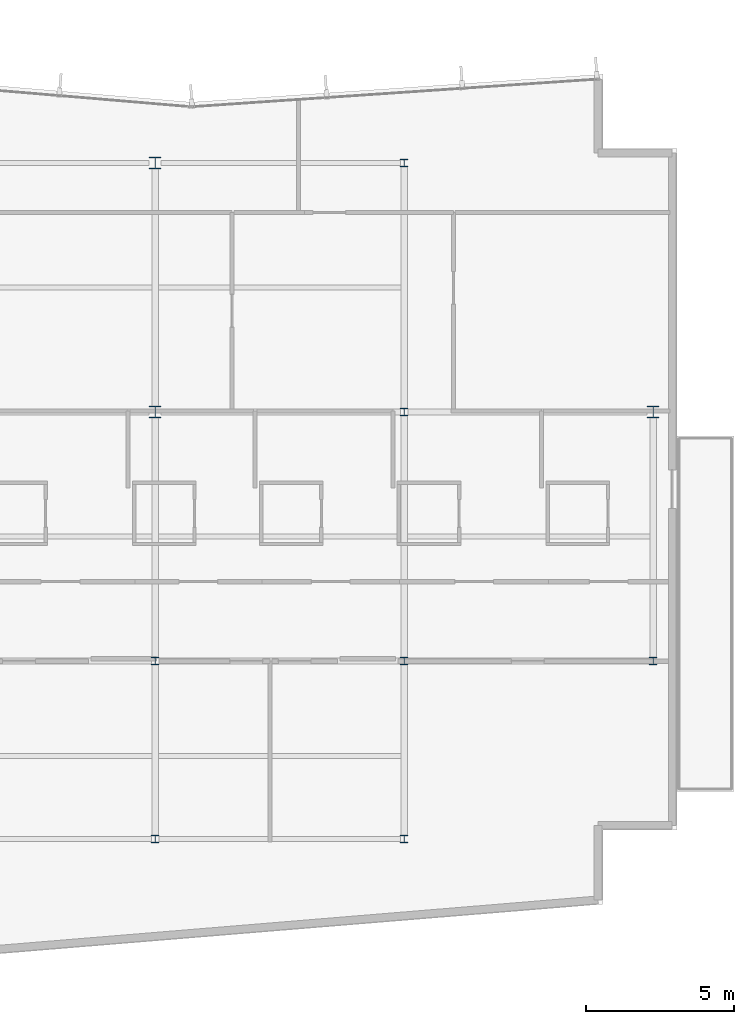
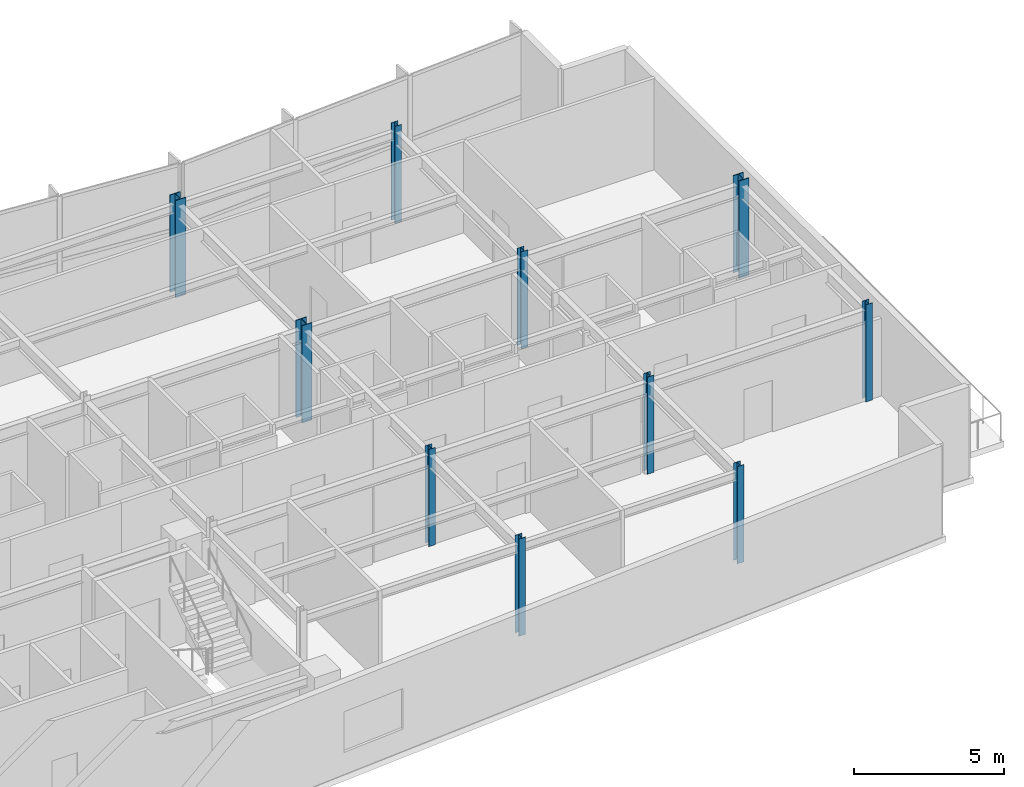
# One storey, part 2 of 15: 10 columns.
"""IFC4 building model written with IfcOpenShell, lengths in metres."""

import ifcopenshell
import ifcopenshell.guid

model = None  # the IFC model being written
_history = None  # IfcOwnerHistory: only IFC2X3 demands one
_inside = {}  # id of a spatial element -> (the spatial element, [elements in it])
_under = {}  # id of a project, library or spatial element -> (it, [spatial elements below it])
_declared = {}  # id of a project -> (the project, [libraries it declares])
_typed = {}  # id of a type object -> (the type object, [elements of that type])
_made_of = {}  # id of a material, layer set ... -> (it, [elements and type objects made of it])


def new_model(schema):
    """Start an empty IFC model of exactly this schema.

    Asked for "IFC4X3", IfcOpenShell would pick the latest addendum, in which some entities
    have other attributes; the version numbers below select the first issue.
    IFC2X3 requires an IfcOwnerHistory on every rooted entity: one is made here for all.
    """
    global model, _history
    if schema == "IFC4X3":
        model = ifcopenshell.file(schema_version=(4, 3, 0, 0))
    else:
        model = ifcopenshell.file(schema=schema)
    _inside.clear()
    _under.clear()
    _declared.clear()
    _typed.clear()
    _made_of.clear()
    _history = None
    if model.schema == "IFC2X3":
        org = make("IfcOrganization", Name="unknown")
        user = make(
            "IfcPersonAndOrganization",
            ThePerson=make("IfcPerson", FamilyName="unknown"),
            TheOrganization=org,
        )
        app = make(
            "IfcApplication",
            ApplicationDeveloper=org,
            Version="unknown",
            ApplicationFullName="unknown",
            ApplicationIdentifier="unknown",
        )
        _history = make(
            "IfcOwnerHistory",
            OwningUser=user,
            OwningApplication=app,
            ChangeAction="ADDED",
            CreationDate=0,
        )
    return model


def make(cls, **values):
    """One entity of the class cls with the attributes given. An attribute that is None is left unset."""
    return model.create_entity(
        cls, **{name: value for name, value in values.items() if value is not None}
    )


def rooted(cls, **values):
    """An entity with a GlobalId (a new one), such as an element, a storey or a relation."""
    return make(cls, GlobalId=ifcopenshell.guid.new(), OwnerHistory=_history, **values)


def si_unit(unit_type, name, prefix=None):
    """IfcSIUnit, for example si_unit("LENGTHUNIT", "METRE", prefix="MILLI")."""
    return make("IfcSIUnit", UnitType=unit_type, Prefix=prefix, Name=name)


def assignment(units):
    """IfcUnitAssignment: the units of a project."""
    return None if units is None else make("IfcUnitAssignment", Units=units)


def point(xyz):
    """IfcCartesianPoint."""
    return None if xyz is None else make("IfcCartesianPoint", Coordinates=xyz)


def direction(xyz):
    """IfcDirection."""
    return None if xyz is None else make("IfcDirection", DirectionRatios=xyz)


def frame(location, z_axis=None, x_axis=None):
    """IfcAxis2Placement3D, a coordinate frame: its origin and axes. An axis left out is left unset."""
    return make(
        "IfcAxis2Placement3D",
        Location=point(location),
        Axis=direction(z_axis),
        RefDirection=direction(x_axis),
    )


def frame_2d(location, x_axis=None):
    """IfcAxis2Placement2D, a coordinate frame in the plane: its origin and x axis."""
    return make(
        "IfcAxis2Placement2D", Location=point(location), RefDirection=direction(x_axis)
    )


def origin():
    """The frame at (0, 0, 0) with its axes left unset."""
    return frame((0.0, 0.0, 0.0))


def origin_2d():
    """The frame at (0, 0) in the plane with its x axis left unset."""
    return frame_2d((0.0, 0.0))


def place(relative_to, where):
    """IfcLocalPlacement: puts the frame where relative to a parent placement (None: the world)."""
    return make(
        "IfcLocalPlacement", PlacementRelTo=relative_to, RelativePlacement=where
    )


def context(
    kind, dimensions, precision=None, world=None, true_north=None, identifier=None
):
    """IfcGeometricRepresentationContext, for example the 3D "Model" context."""
    return make(
        "IfcGeometricRepresentationContext",
        ContextIdentifier=identifier,
        ContextType=kind,
        CoordinateSpaceDimension=dimensions,
        Precision=precision,
        WorldCoordinateSystem=world,
        TrueNorth=true_north,
    )


def subcontext(parent, identifier, kind, view, scale=None):
    """IfcGeometricRepresentationSubContext, for example "Body" below "Model"."""
    return make(
        "IfcGeometricRepresentationSubContext",
        ContextIdentifier=identifier,
        ContextType=kind,
        ParentContext=parent,
        TargetScale=scale,
        TargetView=view,
    )


def project(units=None, contexts=None):
    """IfcProject with its units and contexts."""
    return rooted(
        "IfcProject",
        Name="project",
        RepresentationContexts=contexts,
        UnitsInContext=assignment(units),
    )


def spatial(cls, under=None, at=None, **own):
    """A site, building, storey or space (cls), placed at a placement, below another one or the project."""
    s = rooted(cls, ObjectPlacement=at, **own)
    if under is not None:
        _under.setdefault(under.id(), (under, []))[1].append(s)
    return s


def profile(cls, at=None, kind="AREA", **sizes):
    """A parametric profile (cls). Its sizes go by their IFC names, for example OverallWidth=200.0."""
    return make(cls, ProfileType=kind, Position=at, **sizes)


def i_section(**sizes):
    """IfcIShapeProfileDef."""
    return profile("IfcIShapeProfileDef", **sizes)


def extrude(swept, where, along, depth):
    """IfcExtrudedAreaSolid: the profile swept, set in the frame where, extruded along a direction by depth."""
    return make(
        "IfcExtrudedAreaSolid",
        SweptArea=swept,
        Position=where,
        ExtrudedDirection=direction(along),
        Depth=depth,
    )


def shape(context_of_items, identifier, shape_type, items):
    """IfcShapeRepresentation: the items that make up one representation, for example the "Body"."""
    return make(
        "IfcShapeRepresentation",
        ContextOfItems=context_of_items,
        RepresentationIdentifier=identifier,
        RepresentationType=shape_type,
        Items=items,
    )


def material(Name=None, Category=None):
    """IfcMaterial."""
    return make("IfcMaterial", Name=Name, Category=Category)


def material_profile(
    of_material, cross_section, Name=None, Category=None, Priority=None
):
    """IfcMaterialProfile: a cross section and its material."""
    return make(
        "IfcMaterialProfile",
        Name=Name,
        Material=of_material,
        Profile=cross_section,
        Priority=Priority,
        Category=Category,
    )


def profile_set(profiles, Name=None, composite=None):
    """IfcMaterialProfileSet."""
    return make(
        "IfcMaterialProfileSet",
        Name=Name,
        MaterialProfiles=profiles,
        CompositeProfile=composite,
    )


def made_of(thing, what):
    """Note that an element or type object is made of a material, layer set ...; save() writes the relation."""
    if what is not None:
        _made_of.setdefault(what.id(), (what, []))[1].append(thing)
    return thing


def type_object(cls, material=None, **own):
    """A type object (cls), such as IfcWallType, which elements share."""
    return made_of(rooted(cls, **own), material)


def element(
    cls,
    number,
    at=None,
    inside=None,
    cuts=None,
    type_object=None,
    material=None,
    context=None,
    identifier="Body",
    shape_type=None,
    held_by="IfcProductDefinitionShape",
    body=None,
    shapes=None,
    **own,
):
    """One element of the class cls, such as IfcWall. Its Tag is "e" and its number.

    at: its placement. inside: the storey or other place that contains it. cuts: it is an
    opening in that element (IfcRelVoidsElement). A single representation is given by context,
    identifier, shape_type and body (its items); several are given by shapes. held_by: the class
    of the entity that holds the representations. save() writes the other relations.
    """
    e = rooted(cls, Tag="e%d" % number, ObjectPlacement=at, **own)
    if body is not None:
        shapes = [shape(context, identifier, shape_type, body)]
    if shapes is not None:
        e.Representation = make(held_by, Representations=shapes)
    if inside is not None:
        _inside.setdefault(inside.id(), (inside, []))[1].append(e)
    if cuts is not None:
        rooted(
            "IfcRelVoidsElement", RelatingBuildingElement=cuts, RelatedOpeningElement=e
        )
    if type_object is not None:
        _typed.setdefault(type_object.id(), (type_object, []))[1].append(e)
    return made_of(e, material)


def aggregate(whole, parts):
    """IfcRelAggregates: a whole, such as a stair, and the parts it consists of."""
    return rooted("IfcRelAggregates", RelatingObject=whole, RelatedObjects=parts)


def save(model, path):
    """Write the relations noted so far, then the file.

    IfcRelAggregates (storeys below a building ...), IfcRelContainedInSpatialStructure (elements
    in a storey), IfcRelDefinesByType, IfcRelAssociatesMaterial and IfcRelDeclares: one each for
    every whole, place, type object, material and project.
    """
    for whole, parts in _under.values():
        aggregate(whole, parts)
    for where, things in _inside.values():
        rooted(
            "IfcRelContainedInSpatialStructure",
            RelatedElements=things,
            RelatingStructure=where,
        )
    for kind, things in _typed.values():
        rooted("IfcRelDefinesByType", RelatedObjects=things, RelatingType=kind)
    for what, things in _made_of.values():
        rooted("IfcRelAssociatesMaterial", RelatedObjects=things, RelatingMaterial=what)
    for by, libraries in _declared.values():
        rooted("IfcRelDeclares", RelatingContext=by, RelatedDefinitions=libraries)
    model.write(path)


model = new_model("IFC4")

# Units and contexts
model_context = context("Model", 3, precision=1e-05, world=origin(), true_north=direction((0.0, 1.0)))
body_context = subcontext(model_context, "Body", "Model", "MODEL_VIEW")
ifc_project = project(units=[si_unit("LENGTHUNIT", "METRE"), si_unit("AREAUNIT", "SQUARE_METRE"), si_unit("VOLUMEUNIT", "CUBIC_METRE"), si_unit("PLANEANGLEUNIT", "RADIAN"), si_unit("MASSUNIT", "GRAM", prefix="KILO")], contexts=[model_context])

# Site, building, storey
site_placement = place(None, origin())
site = spatial("IfcSite", under=ifc_project, at=site_placement, CompositionType="ELEMENT")
building_placement = place(site_placement, origin())
building = spatial("IfcBuilding", under=site, at=building_placement, Name="Varnakote Quay Hospital", CompositionType="ELEMENT")
storey_placement = place(building_placement, frame((0.0, 0.0, 192.10009765625)))
storey = spatial("IfcBuildingStorey", under=building, at=storey_placement, Name="L47", CompositionType="ELEMENT", Elevation=192.10009765625)

# Columns
ifc_material_1 = material(Name="Structural steel AS/NZS 3679.1 Grade 350 L0 (fy 340 MPa)", Category="steel")
ifc_material_profile_1 = material_profile(ifc_material_1, i_section(OverallWidth=0.256103515625, OverallDepth=0.260009765625, WebThickness=0.010498046875, FlangeThickness=0.017333984375, FilletRadius=0.0126953125, at=origin_2d()), Name="250UC89.5")
ifc_profile_set_1 = profile_set([ifc_material_profile_1], Name="Structural steel AS/NZS 3679.1 Grade 350 L0 (fy 340 MPa)")
column_type_1 = type_object("IfcColumnType", Name="COL-STL-250UC89-5", PredefinedType="COLUMN", material=ifc_profile_set_1)
for number, where, z_axis, x_axis, name in (
    (1, (33.60009765625, 6.0, 0.0), (0.0, 0.0, 1.0), (1.0, 0.0, 0.0), "L47 Structural Column C-34-6"),
    (2, (42.0, 6.0, 0.0), (0.0, 0.0, 1.0), (1.0, 0.0, 0.0), "L47 Structural Column C-42-6"),
    (3, (33.60009765625, 12.0, 0.0), (0.0, 0.0, 1.0), (1.0, 0.0, 0.0), "L47 Structural Column C-34-12"),
    (4, (42.0, 12.0, 0.0), (0.0, 0.0, 1.0), (1.0, 0.0, 0.0), "L47 Structural Column C-42-12"),
    (5, (50.39990234375, 12.0, 0.0), (0.0, 0.0, 1.0), (1.0, 0.0, 0.0), "L47 Structural Column C-50-12"),
    (6, (42.0, 20.39990234375, 0.0), (0.0, 0.0, 1.0), (1.0, 0.0, 0.0), "L47 Structural Column C-42-20"),
    (7, (42.0, 28.800048828125, 0.0), (0.0, 0.0, 1.0), (1.0, 0.0, 0.0), "L47 Structural Column C-42-29"),
):
    element("IfcColumn", number, at=place(storey_placement, frame(where, z_axis=z_axis, x_axis=x_axis)), inside=storey, type_object=column_type_1, Name=name, PredefinedType="COLUMN", context=body_context, shape_type="SweptSolid", body=[
        extrude(i_section(OverallWidth=0.256103515625, OverallDepth=0.260009765625, WebThickness=0.010498046875, FlangeThickness=0.017333984375, FilletRadius=0.0126953125, at=origin_2d()), origin(), (0.0, 0.0, 1.0), 3.949951171875),
    ])
ifc_material_2 = material(Name="Structural steel AS/NZS 3678 Grade 350 (fy 340 MPa)", Category="steel")
ifc_material_profile_2 = material_profile(ifc_material_2, i_section(OverallWidth=0.39990234375, OverallDepth=0.404052734375, WebThickness=0.02001953125, FlangeThickness=0.031982421875, at=origin_2d()), Name="400WC270")
ifc_profile_set_2 = profile_set([ifc_material_profile_2], Name="Structural steel AS/NZS 3678 Grade 350 (fy 340 MPa)")
column_type_2 = type_object("IfcColumnType", Name="COL-STL-400WC270", PredefinedType="COLUMN", material=ifc_profile_set_2)
for number, where, z_axis, x_axis, name in (
    (8, (33.60009765625, 20.39990234375, 0.0), (0.0, 0.0, 1.0), (1.0, 0.0, 0.0), "L47 Structural Column C-34-20"),
    (9, (50.39990234375, 20.39990234375, 0.0), (0.0, 0.0, 1.0), (1.0, 0.0, 0.0), "L47 Structural Column C-50-20"),
    (10, (33.60009765625, 28.800048828125, 0.0), (0.0, 0.0, 1.0), (1.0, 0.0, 0.0), "L47 Structural Column C-34-29"),
):
    element("IfcColumn", number, at=place(storey_placement, frame(where, z_axis=z_axis, x_axis=x_axis)), inside=storey, type_object=column_type_2, Name=name, PredefinedType="COLUMN", context=body_context, shape_type="SweptSolid", body=[
        extrude(i_section(OverallWidth=0.39990234375, OverallDepth=0.404052734375, WebThickness=0.02001953125, FlangeThickness=0.031982421875, at=origin_2d()), origin(), (0.0, 0.0, 1.0), 3.949951171875),
    ])

save(model, "model.ifc")
